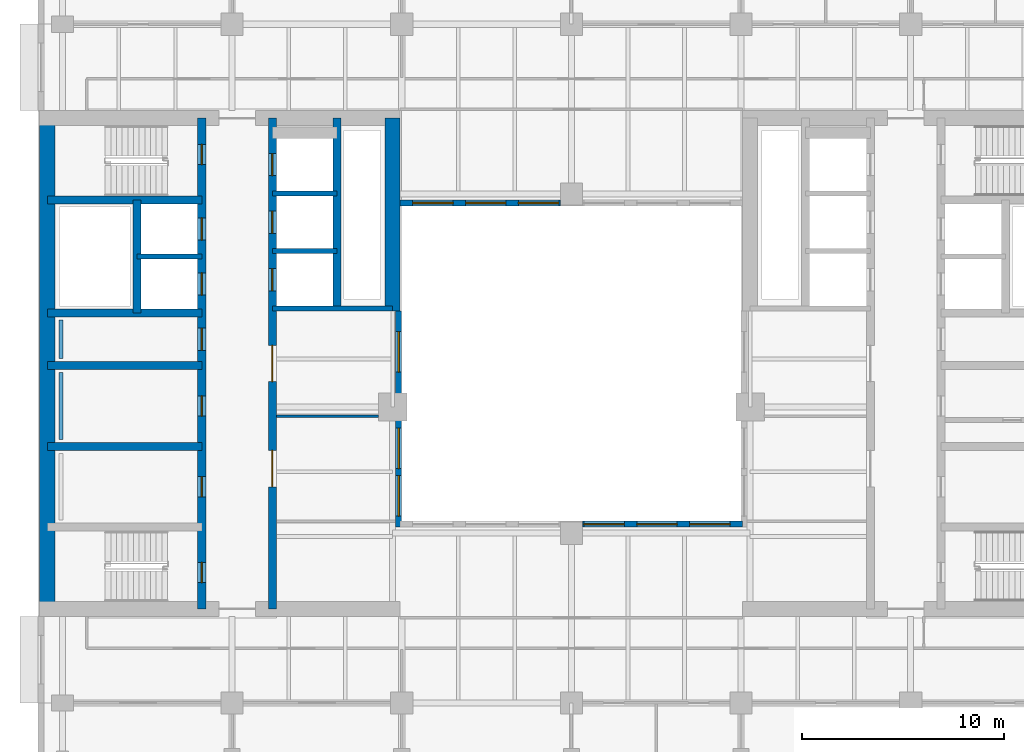
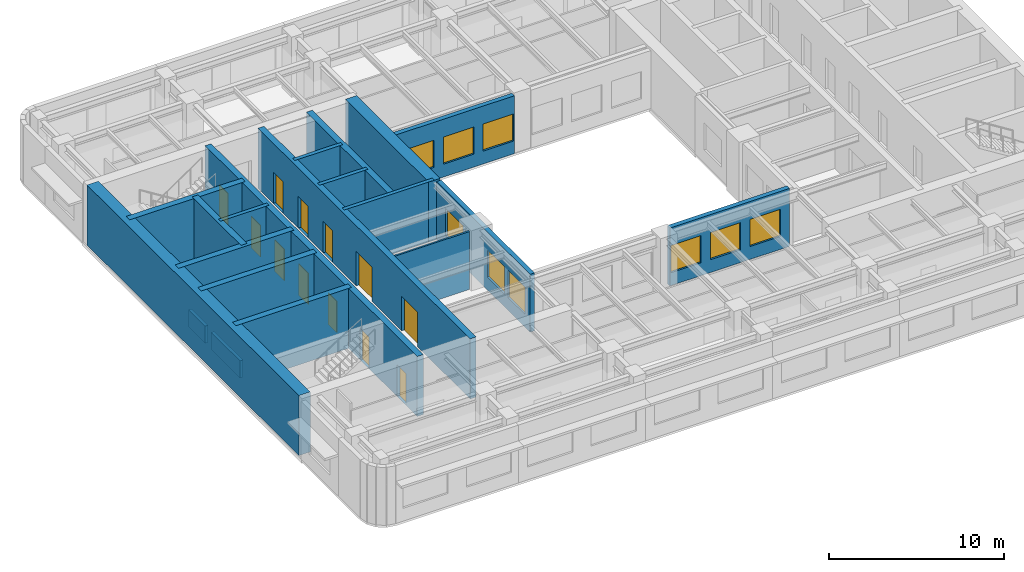
# One storey, part 4 of 11: 20 walls, 12 doors, 9 windows, 21 openings.
"""IFC4 building model written with IfcOpenShell, lengths in metres."""

from ifc_helpers import new_model, si_unit, direction, frame, frame_2d, origin, place, context, subcontext, project, spatial, rectangle, extrude, material, layer, layer_set, type_object, element, fill, save


model = new_model("IFC4")

# Units and contexts
model_context = context("Model", 3, precision=1e-05, world=origin(), true_north=direction((0.0, 1.0)))
body_context = subcontext(model_context, "Body", "Model", "MODEL_VIEW")
ifc_project = project(units=[si_unit("LENGTHUNIT", "METRE"), si_unit("AREAUNIT", "SQUARE_METRE"), si_unit("VOLUMEUNIT", "CUBIC_METRE"), si_unit("PLANEANGLEUNIT", "RADIAN"), si_unit("MASSUNIT", "GRAM", prefix="KILO")], contexts=[model_context])

# Site, building, storey
site_placement = place(None, origin())
site = spatial("IfcSite", under=ifc_project, at=site_placement, CompositionType="ELEMENT")
building_placement = place(site_placement, origin())
building = spatial("IfcBuilding", under=site, at=building_placement, Name="Claustro Exchange Tower", CompositionType="ELEMENT")
storey_placement = place(building_placement, frame((0.0, 0.0, 236.39990234375)))
storey = spatial("IfcBuildingStorey", under=building, at=storey_placement, Name="L54", CompositionType="ELEMENT", Elevation=236.39990234375)

# Wall
ifc_material_1 = material(Name="Laminated glass in aluminium frame", Category="aluminium")
ifc_layer_1 = layer(ifc_material_1, 0.1201171875)
ifc_layer_set_1 = layer_set([ifc_layer_1], Name="Laminated glass in aluminium frame")
wall_type_1 = type_object("IfcWallType", Name="P2 120 glazed partition", PredefinedType="PARTITIONING", material=ifc_layer_set_1)
wall_1_placement = place(storey_placement, frame((10.597900390625, 22.60009765625, 0.0), z_axis=(0.0, 0.0, 1.0), x_axis=(1.0, 0.0, 0.0)))
element("IfcWall", 1, at=wall_1_placement, inside=storey, type_object=wall_type_1, Name="Partition P2 L54", PredefinedType="PARTITIONING", context=body_context, shape_type="SweptSolid", body=[
    extrude(rectangle(XDim=5.052978515625, YDim=0.1201171875, at=frame_2d((2.5263671875, 0.0))), origin(), (0.0, 0.0, 1.0), 4.050048828125),
])

# Wall, openings, windows
ifc_material_2 = material(Name="Concrete HA-40 (C40/50), precast, white cement, acid-etched", Category="concrete")
ifc_layer_2 = layer(ifc_material_2, 0.300048828125)
ifc_layer_set_2 = layer_set([ifc_layer_2], Name="Concrete HA-40 (C40/50), precast, white cement, acid-etched")
wall_type_2 = type_object("IfcWallType", Name="PC1 300 precast concrete pier panel", PredefinedType="SOLIDWALL", material=ifc_layer_set_2)
wall_2_placement = place(storey_placement, frame((16.64990234375, 17.10009765625, 0.0), z_axis=(0.0, 0.0, 1.0), x_axis=(0.0, 1.0, 0.0)))
wall_2 = element("IfcWall", 2, at=wall_2_placement, inside=storey, type_object=wall_type_2, Name="Precast pier panel PC1 L54", PredefinedType="SOLIDWALL", context=body_context, shape_type="SweptSolid", body=[
    extrude(rectangle(XDim=10.699951171875, YDim=0.300048828125, at=frame_2d((5.35009765625, 0.0))), origin(), (0.0, 0.0, 1.0), 4.050048828125),
])
opening_1_placement = place(wall_2_placement, frame((0.550048828125, 0.0, 0.89990234375)))
opening_1 = element("IfcOpeningElement", 3, at=opening_1_placement, cuts=wall_2, Name="Opening W4", PredefinedType="OPENING", context=body_context, shape_type="SweptSolid", body=[
    extrude(rectangle(XDim=2.0, YDim=1.89990234375, at=frame_2d((1.0, 0.949951171875))), frame((0.0, 0.159912109375, 0.0), z_axis=(0.0, -1.0, 0.0), x_axis=(1.0, 0.0, 0.0)), (0.0, 0.0, 1.0), 0.320068359375),
])
opening_2_placement = place(wall_2_placement, frame((2.89990234375, 0.0, 0.89990234375)))
opening_2 = element("IfcOpeningElement", 4, at=opening_2_placement, cuts=wall_2, Name="Opening W4", PredefinedType="OPENING", context=body_context, shape_type="SweptSolid", body=[
    extrude(rectangle(XDim=2.0, YDim=1.89990234375, at=frame_2d((1.0, 0.949951171875))), frame((0.0, 0.159912109375, 0.0), z_axis=(0.0, -1.0, 0.0), x_axis=(1.0, 0.0, 0.0)), (0.0, 0.0, 1.0), 0.320068359375),
])
opening_3_placement = place(wall_2_placement, frame((7.675048828125, 0.0, 0.89990234375)))
opening_3 = element("IfcOpeningElement", 5, at=opening_3_placement, cuts=wall_2, Name="Opening W4", PredefinedType="OPENING", context=body_context, shape_type="SweptSolid", body=[
    extrude(rectangle(XDim=2.0, YDim=1.89990234375, at=frame_2d((1.0, 0.949951171875))), frame((0.0, 0.159912109375, 0.0), z_axis=(0.0, -1.0, 0.0), x_axis=(1.0, 0.0, 0.0)), (0.0, 0.0, 1.0), 0.320068359375),
])
ifc_material_3 = material(Name="Aluminium frame, clear double glazing", Category="aluminium")
window_type = type_object("IfcWindowType", Name="W4 2000 x 1900 light well window", PartitioningType="SINGLE_PANEL", PredefinedType="WINDOW", material=ifc_material_3)
window_1_placement = place(opening_1_placement, origin())
window_1 = element("IfcWindow", 6, at=window_1_placement, inside=storey, type_object=window_type, Name="Window W4 L54", OverallHeight=1.89990234375, OverallWidth=2.0, PartitioningType="SINGLE_PANEL", PredefinedType="WINDOW", context=body_context, shape_type="SweptSolid", body=[
    extrude(rectangle(XDim=2.0, YDim=1.89990234375, at=frame_2d((1.0, 0.949951171875))), frame((0.0, 0.030029296875, 0.0), z_axis=(0.0, -1.0, 0.0), x_axis=(1.0, 0.0, 0.0)), (0.0, 0.0, 1.0), 0.06005859375),
])
fill(opening_1, window_1)
window_2_placement = place(opening_2_placement, origin())
window_2 = element("IfcWindow", 7, at=window_2_placement, inside=storey, type_object=window_type, Name="Window W4 L54", OverallHeight=1.89990234375, OverallWidth=2.0, PartitioningType="SINGLE_PANEL", PredefinedType="WINDOW", context=body_context, shape_type="SweptSolid", body=[
    extrude(rectangle(XDim=2.0, YDim=1.89990234375, at=frame_2d((1.0, 0.949951171875))), frame((0.0, 0.030029296875, 0.0), z_axis=(0.0, -1.0, 0.0), x_axis=(1.0, 0.0, 0.0)), (0.0, 0.0, 1.0), 0.06005859375),
])
fill(opening_2, window_2)
window_3_placement = place(opening_3_placement, origin())
window_3 = element("IfcWindow", 8, at=window_3_placement, inside=storey, type_object=window_type, Name="Window W4 L54", OverallHeight=1.89990234375, OverallWidth=2.0, PartitioningType="SINGLE_PANEL", PredefinedType="WINDOW", context=body_context, shape_type="SweptSolid", body=[
    extrude(rectangle(XDim=2.0, YDim=1.89990234375, at=frame_2d((1.0, 0.949951171875))), frame((0.0, 0.030029296875, 0.0), z_axis=(0.0, -1.0, 0.0), x_axis=(1.0, 0.0, 0.0)), (0.0, 0.0, 1.0), 0.06005859375),
])
fill(opening_3, window_3)

wall_3_placement = place(storey_placement, frame((25.75, 17.25, 0.0), z_axis=(0.0, 0.0, 1.0), x_axis=(1.0, 0.0, 0.0)))
wall_3 = element("IfcWall", 9, at=wall_3_placement, inside=storey, type_object=wall_type_2, Name="Precast pier panel PC1 L54", PredefinedType="SOLIDWALL", context=body_context, shape_type="SweptSolid", body=[
    extrude(rectangle(XDim=7.925048828125, YDim=0.300048828125, at=frame_2d((3.96240234375, 0.0))), origin(), (0.0, 0.0, 1.0), 4.050048828125),
])
opening_4_placement = place(wall_3_placement, frame((0.068603515625, 0.0, 0.89990234375)))
opening_4 = element("IfcOpeningElement", 10, at=opening_4_placement, cuts=wall_3, Name="Opening W4", PredefinedType="OPENING", context=body_context, shape_type="SweptSolid", body=[
    extrude(rectangle(XDim=2.0, YDim=1.89990234375, at=frame_2d((1.0, 0.949951171875))), frame((0.0, 0.159912109375, 0.0), z_axis=(0.0, -1.0, 0.0), x_axis=(1.0, 0.0, 0.0)), (0.0, 0.0, 1.0), 0.320068359375),
])
opening_5_placement = place(wall_3_placement, frame((2.6875, 0.0, 0.89990234375)))
opening_5 = element("IfcOpeningElement", 11, at=opening_5_placement, cuts=wall_3, Name="Opening W4", PredefinedType="OPENING", context=body_context, shape_type="SweptSolid", body=[
    extrude(rectangle(XDim=2.0, YDim=1.89990234375, at=frame_2d((1.0, 0.949951171875))), frame((0.0, 0.159912109375, 0.0), z_axis=(0.0, -1.0, 0.0), x_axis=(1.0, 0.0, 0.0)), (0.0, 0.0, 1.0), 0.320068359375),
])
opening_6_placement = place(wall_3_placement, frame((5.30615234375, 0.0, 0.89990234375)))
opening_6 = element("IfcOpeningElement", 12, at=opening_6_placement, cuts=wall_3, Name="Opening W4", PredefinedType="OPENING", context=body_context, shape_type="SweptSolid", body=[
    extrude(rectangle(XDim=2.0, YDim=1.89990234375, at=frame_2d((1.0, 0.949951171875))), frame((0.0, 0.159912109375, 0.0), z_axis=(0.0, -1.0, 0.0), x_axis=(1.0, 0.0, 0.0)), (0.0, 0.0, 1.0), 0.320068359375),
])
window_4_placement = place(opening_4_placement, origin())
window_4 = element("IfcWindow", 13, at=window_4_placement, inside=storey, type_object=window_type, Name="Window W4 L54", OverallHeight=1.89990234375, OverallWidth=2.0, PartitioningType="SINGLE_PANEL", PredefinedType="WINDOW", context=body_context, shape_type="SweptSolid", body=[
    extrude(rectangle(XDim=2.0, YDim=1.89990234375, at=frame_2d((1.0, 0.949951171875))), frame((0.0, 0.030029296875, 0.0), z_axis=(0.0, -1.0, 0.0), x_axis=(1.0, 0.0, 0.0)), (0.0, 0.0, 1.0), 0.06005859375),
])
fill(opening_4, window_4)
window_5_placement = place(opening_5_placement, origin())
window_5 = element("IfcWindow", 14, at=window_5_placement, inside=storey, type_object=window_type, Name="Window W4 L54", OverallHeight=1.89990234375, OverallWidth=2.0, PartitioningType="SINGLE_PANEL", PredefinedType="WINDOW", context=body_context, shape_type="SweptSolid", body=[
    extrude(rectangle(XDim=2.0, YDim=1.89990234375, at=frame_2d((1.0, 0.949951171875))), frame((0.0, 0.030029296875, 0.0), z_axis=(0.0, -1.0, 0.0), x_axis=(1.0, 0.0, 0.0)), (0.0, 0.0, 1.0), 0.06005859375),
])
fill(opening_5, window_5)
window_6_placement = place(opening_6_placement, origin())
window_6 = element("IfcWindow", 15, at=window_6_placement, inside=storey, type_object=window_type, Name="Window W4 L54", OverallHeight=1.89990234375, OverallWidth=2.0, PartitioningType="SINGLE_PANEL", PredefinedType="WINDOW", context=body_context, shape_type="SweptSolid", body=[
    extrude(rectangle(XDim=2.0, YDim=1.89990234375, at=frame_2d((1.0, 0.949951171875))), frame((0.0, 0.030029296875, 0.0), z_axis=(0.0, -1.0, 0.0), x_axis=(1.0, 0.0, 0.0)), (0.0, 0.0, 1.0), 0.06005859375),
])
fill(opening_6, window_6)

wall_4_placement = place(storey_placement, frame((16.72509765625, 33.14990234375, 0.0), z_axis=(0.0, 0.0, 1.0), x_axis=(1.0, 0.0, 0.0)))
wall_4 = element("IfcWall", 16, at=wall_4_placement, inside=storey, type_object=wall_type_2, Name="Precast pier panel PC1 L54", PredefinedType="SOLIDWALL", context=body_context, shape_type="SweptSolid", body=[
    extrude(rectangle(XDim=7.9248046875, YDim=0.300048828125, at=frame_2d((3.96240234375, 0.0))), origin(), (0.0, 0.0, 1.0), 4.050048828125),
])
opening_7_placement = place(wall_4_placement, frame((0.61865234375, 0.0, 0.89990234375)))
opening_7 = element("IfcOpeningElement", 17, at=opening_7_placement, cuts=wall_4, Name="Opening W4", PredefinedType="OPENING", context=body_context, shape_type="SweptSolid", body=[
    extrude(rectangle(XDim=2.0, YDim=1.89990234375, at=frame_2d((1.0, 0.949951171875))), frame((0.0, 0.159912109375, 0.0), z_axis=(0.0, -1.0, 0.0), x_axis=(1.0, 0.0, 0.0)), (0.0, 0.0, 1.0), 0.320068359375),
])
opening_8_placement = place(wall_4_placement, frame((3.237548828125, 0.0, 0.89990234375)))
opening_8 = element("IfcOpeningElement", 18, at=opening_8_placement, cuts=wall_4, Name="Opening W4", PredefinedType="OPENING", context=body_context, shape_type="SweptSolid", body=[
    extrude(rectangle(XDim=2.0, YDim=1.89990234375, at=frame_2d((1.0, 0.949951171875))), frame((0.0, 0.159912109375, 0.0), z_axis=(0.0, -1.0, 0.0), x_axis=(1.0, 0.0, 0.0)), (0.0, 0.0, 1.0), 0.320068359375),
])
opening_9_placement = place(wall_4_placement, frame((5.856201171875, 0.0, 0.89990234375)))
opening_9 = element("IfcOpeningElement", 19, at=opening_9_placement, cuts=wall_4, Name="Opening W4", PredefinedType="OPENING", context=body_context, shape_type="SweptSolid", body=[
    extrude(rectangle(XDim=2.0, YDim=1.89990234375, at=frame_2d((1.0, 0.949951171875))), frame((0.0, 0.159912109375, 0.0), z_axis=(0.0, -1.0, 0.0), x_axis=(1.0, 0.0, 0.0)), (0.0, 0.0, 1.0), 0.320068359375),
])
window_7_placement = place(opening_7_placement, origin())
window_7 = element("IfcWindow", 20, at=window_7_placement, inside=storey, type_object=window_type, Name="Window W4 L54", OverallHeight=1.89990234375, OverallWidth=2.0, PartitioningType="SINGLE_PANEL", PredefinedType="WINDOW", context=body_context, shape_type="SweptSolid", body=[
    extrude(rectangle(XDim=2.0, YDim=1.89990234375, at=frame_2d((1.0, 0.949951171875))), frame((0.0, 0.030029296875, 0.0), z_axis=(0.0, -1.0, 0.0), x_axis=(1.0, 0.0, 0.0)), (0.0, 0.0, 1.0), 0.06005859375),
])
fill(opening_7, window_7)
window_8_placement = place(opening_8_placement, origin())
window_8 = element("IfcWindow", 21, at=window_8_placement, inside=storey, type_object=window_type, Name="Window W4 L54", OverallHeight=1.89990234375, OverallWidth=2.0, PartitioningType="SINGLE_PANEL", PredefinedType="WINDOW", context=body_context, shape_type="SweptSolid", body=[
    extrude(rectangle(XDim=2.0, YDim=1.89990234375, at=frame_2d((1.0, 0.949951171875))), frame((0.0, 0.030029296875, 0.0), z_axis=(0.0, -1.0, 0.0), x_axis=(1.0, 0.0, 0.0)), (0.0, 0.0, 1.0), 0.06005859375),
])
fill(opening_8, window_8)
window_9_placement = place(opening_9_placement, origin())
window_9 = element("IfcWindow", 22, at=window_9_placement, inside=storey, type_object=window_type, Name="Window W4 L54", OverallHeight=1.89990234375, OverallWidth=2.0, PartitioningType="SINGLE_PANEL", PredefinedType="WINDOW", context=body_context, shape_type="SweptSolid", body=[
    extrude(rectangle(XDim=2.0, YDim=1.89990234375, at=frame_2d((1.0, 0.949951171875))), frame((0.0, 0.030029296875, 0.0), z_axis=(0.0, -1.0, 0.0), x_axis=(1.0, 0.0, 0.0)), (0.0, 0.0, 1.0), 0.06005859375),
])
fill(opening_9, window_9)

# Walls
ifc_material_4 = material(Name="Gypsum board on steel studs, tiled", Category="steel")
ifc_layer_3 = layer(ifc_material_4, 0.199951171875)
ifc_layer_set_3 = layer_set([ifc_layer_3], Name="Gypsum board on steel studs, tiled")
wall_type_3 = type_object("IfcWallType", Name="PW1 200 WC duct wall", PredefinedType="PLUMBINGWALL", material=ifc_layer_set_3)
wall_5_placement = place(storey_placement, frame((-0.074951171875, 21.449951171875, 0.0), z_axis=(0.0, 0.0, 1.0), x_axis=(0.0, 1.0, 0.0)))
element("IfcWall", 23, at=wall_5_placement, inside=storey, type_object=wall_type_3, Name="WC duct wall PW1 L54", PredefinedType="PLUMBINGWALL", context=body_context, shape_type="SweptSolid", body=[
    extrude(rectangle(XDim=3.300048828125, YDim=0.199951171875, at=frame_2d((1.64990234375, 0.0))), origin(), (0.0, 0.0, 1.0), 1.2001953125),
])
wall_6_placement = place(storey_placement, frame((-0.074951171875, 25.449951171875, 0.0), z_axis=(0.0, 0.0, 1.0), x_axis=(0.0, 1.0, 0.0)))
element("IfcWall", 24, at=wall_6_placement, inside=storey, type_object=wall_type_3, Name="WC duct wall PW1 L54", PredefinedType="PLUMBINGWALL", context=body_context, shape_type="SweptSolid", body=[
    extrude(rectangle(XDim=1.900146484375, YDim=0.199951171875, at=frame_2d((0.9501953125, 0.0))), origin(), (0.0, 0.0, 1.0), 1.2001953125),
])
ifc_material_5 = material(Name="Concrete HA-70 (C70/85)", Category="concrete")
ifc_layer_4 = layer(ifc_material_5, 0.75)
ifc_layer_set_4 = layer_set([ifc_layer_4], Name="Concrete HA-70 (C70/85)")
wall_type_4 = type_object("IfcWallType", Name="SW2X 750 exposed core shear wall, board-marked face", PredefinedType="SHEAR", material=ifc_layer_set_4)
wall_7_placement = place(storey_placement, frame((-0.75, 13.050048828125, 0.0), z_axis=(0.0, 0.0, 1.0), x_axis=(0.0, 1.0, 0.0)))
element("IfcWall", 25, at=wall_7_placement, inside=storey, type_object=wall_type_4, Name="Core wall SW2X W core W face L54", PredefinedType="SHEAR", context=body_context, shape_type="SweptSolid", body=[
    extrude(rectangle(XDim=24.300048828125, YDim=0.75, at=frame_2d((12.14990234375, 0.0))), origin(), (0.0, 0.0, 1.0), 4.2001953125),
])
wall_8_placement = place(storey_placement, frame((16.35009765625, 27.800048828125, 0.0), z_axis=(0.0, 0.0, 1.0), x_axis=(0.0, 1.0, 0.0)))
element("IfcWall", 26, at=wall_8_placement, inside=storey, type_object=wall_type_4, Name="Core wall SW2X W core E face L54", PredefinedType="SHEAR", context=body_context, shape_type="SweptSolid", body=[
    extrude(rectangle(XDim=9.550048828125, YDim=0.75, at=frame_2d((4.77490234375, 0.0))), origin(), (0.0, 0.0, 1.0), 4.2001953125),
])

# Wall, openings, doors
ifc_material_6 = material(Name="Concrete HA-50 (C50/60)", Category="concrete")
ifc_layer_5 = layer(ifc_material_6, 0.39990234375)
ifc_layer_set_5 = layer_set([ifc_layer_5], Name="Concrete HA-50 (C50/60)")
wall_type_5 = type_object("IfcWallType", Name="SW4 400 internal core wall", PredefinedType="SHEAR", material=ifc_layer_set_5)
wall_9_placement = place(storey_placement, frame((6.89990234375, 13.050048828125, 0.0), z_axis=(0.0, 0.0, 1.0), x_axis=(0.0, 1.0, 0.0)))
wall_9 = element("IfcWall", 27, at=wall_9_placement, inside=storey, type_object=wall_type_5, Name="Internal core wall SW4 W core L54", PredefinedType="SHEAR", context=body_context, shape_type="SweptSolid", body=[
    extrude(rectangle(XDim=24.300048828125, YDim=0.39990234375, at=frame_2d((12.14990234375, 0.0))), origin(), (0.0, 0.0, 1.0), 4.2001953125),
])
opening_10_placement = place(wall_9_placement, frame((1.300048828125, 0.0, 0.0)))
opening_10 = element("IfcOpeningElement", 28, at=opening_10_placement, cuts=wall_9, Name="Opening D4", PredefinedType="OPENING", context=body_context, shape_type="SweptSolid", body=[
    extrude(rectangle(XDim=1.0, YDim=2.199951171875, at=frame_2d((0.5, 1.10009765625))), frame((0.0, 0.2099609375, 0.0), z_axis=(0.0, -1.0, 0.0), x_axis=(1.0, 0.0, 0.0)), (0.0, 0.0, 1.0), 0.419921875),
])
opening_11_placement = place(wall_9_placement, frame((22.0, 0.0, 0.0)))
opening_11 = element("IfcOpeningElement", 29, at=opening_11_placement, cuts=wall_9, Name="Opening D4", PredefinedType="OPENING", context=body_context, shape_type="SweptSolid", body=[
    extrude(rectangle(XDim=1.0, YDim=2.199951171875, at=frame_2d((0.5, 1.10009765625))), frame((0.0, 0.2099609375, 0.0), z_axis=(0.0, -1.0, 0.0), x_axis=(1.0, 0.0, 0.0)), (0.0, 0.0, 1.0), 0.419921875),
])
opening_12_placement = place(wall_9_placement, frame((5.550048828125, 0.0, 0.0)))
opening_12 = element("IfcOpeningElement", 30, at=opening_12_placement, cuts=wall_9, Name="Opening D1", PredefinedType="OPENING", context=body_context, shape_type="SweptSolid", body=[
    extrude(rectangle(XDim=1.0, YDim=2.199951171875, at=frame_2d((0.5, 1.10009765625))), frame((0.0, 0.2099609375, 0.0), z_axis=(0.0, -1.0, 0.0), x_axis=(1.0, 0.0, 0.0)), (0.0, 0.0, 1.0), 0.419921875),
])
opening_13_placement = place(wall_9_placement, frame((9.550048828125, 0.0, 0.0)))
opening_13 = element("IfcOpeningElement", 31, at=opening_13_placement, cuts=wall_9, Name="Opening D1", PredefinedType="OPENING", context=body_context, shape_type="SweptSolid", body=[
    extrude(rectangle(XDim=1.0, YDim=2.199951171875, at=frame_2d((0.5, 1.10009765625))), frame((0.0, 0.2099609375, 0.0), z_axis=(0.0, -1.0, 0.0), x_axis=(1.0, 0.0, 0.0)), (0.0, 0.0, 1.0), 0.419921875),
])
opening_14_placement = place(wall_9_placement, frame((12.800048828125, 0.0, 0.0)))
opening_14 = element("IfcOpeningElement", 32, at=opening_14_placement, cuts=wall_9, Name="Opening D10", PredefinedType="OPENING", context=body_context, shape_type="SweptSolid", body=[
    extrude(rectangle(XDim=1.10009765625, YDim=2.199951171875, at=frame_2d((0.550048828125, 1.10009765625))), frame((0.0, 0.2099609375, 0.0), z_axis=(0.0, -1.0, 0.0), x_axis=(1.0, 0.0, 0.0)), (0.0, 0.0, 1.0), 0.419921875),
])
opening_15_placement = place(wall_9_placement, frame((15.53759765625, 0.0, 0.0)))
opening_15 = element("IfcOpeningElement", 33, at=opening_15_placement, cuts=wall_9, Name="Opening LD", PredefinedType="OPENING", context=body_context, shape_type="SweptSolid", body=[
    extrude(rectangle(XDim=1.10009765625, YDim=2.199951171875, at=frame_2d((0.550048828125, 1.10009765625))), frame((0.0, 0.2099609375, 0.0), z_axis=(0.0, -1.0, 0.0), x_axis=(1.0, 0.0, 0.0)), (0.0, 0.0, 1.0), 0.419921875),
])
opening_16_placement = place(wall_9_placement, frame((18.262451171875, 0.0, 0.0)))
opening_16 = element("IfcOpeningElement", 34, at=opening_16_placement, cuts=wall_9, Name="Opening LD", PredefinedType="OPENING", context=body_context, shape_type="SweptSolid", body=[
    extrude(rectangle(XDim=1.10009765625, YDim=2.199951171875, at=frame_2d((0.550048828125, 1.10009765625))), frame((0.0, 0.2099609375, 0.0), z_axis=(0.0, -1.0, 0.0), x_axis=(1.0, 0.0, 0.0)), (0.0, 0.0, 1.0), 0.419921875),
])
ifc_material_7 = material(Name="Timber door, oak veneer", Category="wood")
door_type_1 = type_object("IfcDoorType", Name="D1 1000 x 2200 single door", OperationType="SINGLE_SWING_LEFT", PredefinedType="DOOR", material=ifc_material_7)
door_1_placement = place(opening_12_placement, origin())
door_1 = element("IfcDoor", 35, at=door_1_placement, inside=storey, type_object=door_type_1, Name="Door D1 L54", OperationType="SINGLE_SWING_RIGHT", OverallHeight=2.199951171875, OverallWidth=1.0, PredefinedType="DOOR", context=body_context, shape_type="SweptSolid", body=[
    extrude(rectangle(XDim=1.0, YDim=2.199951171875, at=frame_2d((0.5, 1.10009765625))), frame((0.0, 0.02490234375, 0.0), z_axis=(0.0, -1.0, 0.0), x_axis=(1.0, 0.0, 0.0)), (0.0, 0.0, 1.0), 0.050048828125),
])
fill(opening_12, door_1)
door_2_placement = place(opening_13_placement, origin())
door_2 = element("IfcDoor", 36, at=door_2_placement, inside=storey, type_object=door_type_1, Name="Door D1 L54", OperationType="SINGLE_SWING_RIGHT", OverallHeight=2.199951171875, OverallWidth=1.0, PredefinedType="DOOR", context=body_context, shape_type="SweptSolid", body=[
    extrude(rectangle(XDim=1.0, YDim=2.199951171875, at=frame_2d((0.5, 1.10009765625))), frame((0.0, 0.02490234375, 0.0), z_axis=(0.0, -1.0, 0.0), x_axis=(1.0, 0.0, 0.0)), (0.0, 0.0, 1.0), 0.050048828125),
])
fill(opening_13, door_2)
ifc_material_8 = material(Name="Timber door, oak veneer", Category="wood")
door_type_2 = type_object("IfcDoorType", Name="D10 1100 x 2200 accessible WC door", OperationType="SINGLE_SWING_LEFT", PredefinedType="DOOR", material=ifc_material_8)
door_3_placement = place(opening_14_placement, frame((1.10009765625, 0.0, 0.0), z_axis=(0.0, 0.0, 1.0), x_axis=(-1.0, 0.0, 0.0)))
door_3 = element("IfcDoor", 37, at=door_3_placement, inside=storey, type_object=door_type_2, Name="Accessible WC door D10 L54", OperationType="SINGLE_SWING_LEFT", OverallHeight=2.199951171875, OverallWidth=1.10009765625, PredefinedType="DOOR", context=body_context, shape_type="SweptSolid", body=[
    extrude(rectangle(XDim=1.10009765625, YDim=2.199951171875, at=frame_2d((0.550048828125, 1.10009765625))), frame((0.0, 0.02490234375, 0.0), z_axis=(0.0, -1.0, 0.0), x_axis=(1.0, 0.0, 0.0)), (0.0, 0.0, 1.0), 0.050048828125),
])
fill(opening_14, door_3)
ifc_material_9 = material(Name="Steel fire door, painted", Category="steel")
door_type_3 = type_object("IfcDoorType", Name="D4 1000 x 2200 fire-rated stair door", OperationType="SINGLE_SWING_LEFT", PredefinedType="DOOR", material=ifc_material_9)
door_4_placement = place(opening_10_placement, origin())
door_4 = element("IfcDoor", 38, at=door_4_placement, inside=storey, type_object=door_type_3, Name="Stair door D4 L54", OperationType="SINGLE_SWING_LEFT", OverallHeight=2.199951171875, OverallWidth=1.0, PredefinedType="DOOR", context=body_context, shape_type="SweptSolid", body=[
    extrude(rectangle(XDim=1.0, YDim=2.199951171875, at=frame_2d((0.5, 1.10009765625))), frame((0.0, 0.02490234375, 0.0), z_axis=(0.0, -1.0, 0.0), x_axis=(1.0, 0.0, 0.0)), (0.0, 0.0, 1.0), 0.050048828125),
])
fill(opening_10, door_4)
door_5_placement = place(opening_11_placement, origin())
door_5 = element("IfcDoor", 39, at=door_5_placement, inside=storey, type_object=door_type_3, Name="Stair door D4 L54", OperationType="SINGLE_SWING_RIGHT", OverallHeight=2.199951171875, OverallWidth=1.0, PredefinedType="DOOR", context=body_context, shape_type="SweptSolid", body=[
    extrude(rectangle(XDim=1.0, YDim=2.199951171875, at=frame_2d((0.5, 1.10009765625))), frame((0.0, 0.02490234375, 0.0), z_axis=(0.0, -1.0, 0.0), x_axis=(1.0, 0.0, 0.0)), (0.0, 0.0, 1.0), 0.050048828125),
])
fill(opening_11, door_5)
ifc_material_10 = material(Name="Stainless steel sliding door", Category="steel")
door_type_4 = type_object("IfcDoorType", Name="LD 1100 x 2200 lift landing door", OperationType="DOUBLE_DOOR_SLIDING", PredefinedType="DOOR", material=ifc_material_10)
door_6_placement = place(opening_15_placement, origin())
door_6 = element("IfcDoor", 40, at=door_6_placement, inside=storey, type_object=door_type_4, Name="Lift landing door LEW1 LD L54", OperationType="DOUBLE_DOOR_SLIDING", OverallHeight=2.199951171875, OverallWidth=1.10009765625, PredefinedType="DOOR", context=body_context, shape_type="SweptSolid", body=[
    extrude(rectangle(XDim=1.10009765625, YDim=2.199951171875, at=frame_2d((0.550048828125, 1.10009765625))), frame((0.0, 0.02490234375, 0.0), z_axis=(0.0, -1.0, 0.0), x_axis=(1.0, 0.0, 0.0)), (0.0, 0.0, 1.0), 0.050048828125),
])
fill(opening_15, door_6)
door_7_placement = place(opening_16_placement, origin())
door_7 = element("IfcDoor", 41, at=door_7_placement, inside=storey, type_object=door_type_4, Name="Lift landing door LEW2 LD L54", OperationType="DOUBLE_DOOR_SLIDING", OverallHeight=2.199951171875, OverallWidth=1.10009765625, PredefinedType="DOOR", context=body_context, shape_type="SweptSolid", body=[
    extrude(rectangle(XDim=1.10009765625, YDim=2.199951171875, at=frame_2d((0.550048828125, 1.10009765625))), frame((0.0, 0.02490234375, 0.0), z_axis=(0.0, -1.0, 0.0), x_axis=(1.0, 0.0, 0.0)), (0.0, 0.0, 1.0), 0.050048828125),
])
fill(opening_16, door_7)

wall_10_placement = place(storey_placement, frame((10.39990234375, 13.050048828125, 0.0), z_axis=(0.0, 0.0, 1.0), x_axis=(0.0, 1.0, 0.0)))
wall_10 = element("IfcWall", 42, at=wall_10_placement, inside=storey, type_object=wall_type_5, Name="Internal core wall SW4 W core L54", PredefinedType="SHEAR", context=body_context, shape_type="SweptSolid", body=[
    extrude(rectangle(XDim=24.300048828125, YDim=0.39990234375, at=frame_2d((12.14990234375, 0.0))), origin(), (0.0, 0.0, 1.0), 4.2001953125),
])
opening_17_placement = place(wall_10_placement, frame((15.75, 0.0, 0.0)))
opening_17 = element("IfcOpeningElement", 43, at=opening_17_placement, cuts=wall_10, Name="Opening LD", PredefinedType="OPENING", context=body_context, shape_type="SweptSolid", body=[
    extrude(rectangle(XDim=1.10009765625, YDim=2.199951171875, at=frame_2d((0.550048828125, 1.10009765625))), frame((0.0, 0.2099609375, 0.0), z_axis=(0.0, -1.0, 0.0), x_axis=(1.0, 0.0, 0.0)), (0.0, 0.0, 1.0), 0.419921875),
])
opening_18_placement = place(wall_10_placement, frame((18.60009765625, 0.0, 0.0)))
opening_18 = element("IfcOpeningElement", 44, at=opening_18_placement, cuts=wall_10, Name="Opening LD", PredefinedType="OPENING", context=body_context, shape_type="SweptSolid", body=[
    extrude(rectangle(XDim=1.10009765625, YDim=2.199951171875, at=frame_2d((0.550048828125, 1.10009765625))), frame((0.0, 0.2099609375, 0.0), z_axis=(0.0, -1.0, 0.0), x_axis=(1.0, 0.0, 0.0)), (0.0, 0.0, 1.0), 0.419921875),
])
opening_19_placement = place(wall_10_placement, frame((21.449951171875, 0.0, 0.0)))
opening_19 = element("IfcOpeningElement", 45, at=opening_19_placement, cuts=wall_10, Name="Opening LD", PredefinedType="OPENING", context=body_context, shape_type="SweptSolid", body=[
    extrude(rectangle(XDim=1.10009765625, YDim=2.199951171875, at=frame_2d((0.550048828125, 1.10009765625))), frame((0.0, 0.2099609375, 0.0), z_axis=(0.0, -1.0, 0.0), x_axis=(1.0, 0.0, 0.0)), (0.0, 0.0, 1.0), 0.419921875),
])
opening_20_placement = place(wall_10_placement, frame((6.050048828125, 0.0, 0.0)))
opening_20 = element("IfcOpeningElement", 46, at=opening_20_placement, cuts=wall_10, Name="Opening D3", PredefinedType="OPENING", context=body_context, shape_type="SweptSolid", body=[
    extrude(rectangle(XDim=1.800048828125, YDim=2.39990234375, at=frame_2d((0.89990234375, 1.199951171875))), frame((0.0, 0.2099609375, 0.0), z_axis=(0.0, -1.0, 0.0), x_axis=(1.0, 0.0, 0.0)), (0.0, 0.0, 1.0), 0.419921875),
])
opening_21_placement = place(wall_10_placement, frame((11.25, 0.0, 0.0)))
opening_21 = element("IfcOpeningElement", 47, at=opening_21_placement, cuts=wall_10, Name="Opening D3", PredefinedType="OPENING", context=body_context, shape_type="SweptSolid", body=[
    extrude(rectangle(XDim=1.800048828125, YDim=2.39990234375, at=frame_2d((0.89990234375, 1.199951171875))), frame((0.0, 0.2099609375, 0.0), z_axis=(0.0, -1.0, 0.0), x_axis=(1.0, 0.0, 0.0)), (0.0, 0.0, 1.0), 0.419921875),
])
ifc_material_11 = material(Name="Steel fire door, painted", Category="steel")
door_type_5 = type_object("IfcDoorType", Name="D3 1800 x 2400 fire-rated lobby double door", OperationType="DOUBLE_DOOR_SINGLE_SWING", PredefinedType="DOOR", material=ifc_material_11)
door_8_placement = place(opening_20_placement, frame((1.800048828125, 0.0, 0.0), z_axis=(0.0, 0.0, 1.0), x_axis=(-1.0, 0.0, 0.0)))
door_8 = element("IfcDoor", 48, at=door_8_placement, inside=storey, type_object=door_type_5, Name="Core zone door D3 L54", OperationType="DOUBLE_DOOR_SINGLE_SWING", OverallHeight=2.39990234375, OverallWidth=1.800048828125, PredefinedType="DOOR", context=body_context, shape_type="SweptSolid", body=[
    extrude(rectangle(XDim=1.800048828125, YDim=2.39990234375, at=frame_2d((0.89990234375, 1.199951171875))), frame((0.0, 0.02490234375, 0.0), z_axis=(0.0, -1.0, 0.0), x_axis=(1.0, 0.0, 0.0)), (0.0, 0.0, 1.0), 0.050048828125),
])
fill(opening_20, door_8)
door_9_placement = place(opening_21_placement, frame((1.800048828125, 0.0, 0.0), z_axis=(0.0, 0.0, 1.0), x_axis=(-1.0, 0.0, 0.0)))
door_9 = element("IfcDoor", 49, at=door_9_placement, inside=storey, type_object=door_type_5, Name="Core zone door D3 L54", OperationType="DOUBLE_DOOR_SINGLE_SWING", OverallHeight=2.39990234375, OverallWidth=1.800048828125, PredefinedType="DOOR", context=body_context, shape_type="SweptSolid", body=[
    extrude(rectangle(XDim=1.800048828125, YDim=2.39990234375, at=frame_2d((0.89990234375, 1.199951171875))), frame((0.0, 0.02490234375, 0.0), z_axis=(0.0, -1.0, 0.0), x_axis=(1.0, 0.0, 0.0)), (0.0, 0.0, 1.0), 0.050048828125),
])
fill(opening_21, door_9)
door_10_placement = place(opening_17_placement, origin())
door_10 = element("IfcDoor", 50, at=door_10_placement, inside=storey, type_object=door_type_4, Name="Lift landing door LHW1 LD L54", OperationType="DOUBLE_DOOR_SLIDING", OverallHeight=2.199951171875, OverallWidth=1.10009765625, PredefinedType="DOOR", context=body_context, shape_type="SweptSolid", body=[
    extrude(rectangle(XDim=1.10009765625, YDim=2.199951171875, at=frame_2d((0.550048828125, 1.10009765625))), frame((0.0, 0.02490234375, 0.0), z_axis=(0.0, -1.0, 0.0), x_axis=(1.0, 0.0, 0.0)), (0.0, 0.0, 1.0), 0.050048828125),
])
fill(opening_17, door_10)
door_11_placement = place(opening_18_placement, origin())
door_11 = element("IfcDoor", 51, at=door_11_placement, inside=storey, type_object=door_type_4, Name="Lift landing door LHW2 LD L54", OperationType="DOUBLE_DOOR_SLIDING", OverallHeight=2.199951171875, OverallWidth=1.10009765625, PredefinedType="DOOR", context=body_context, shape_type="SweptSolid", body=[
    extrude(rectangle(XDim=1.10009765625, YDim=2.199951171875, at=frame_2d((0.550048828125, 1.10009765625))), frame((0.0, 0.02490234375, 0.0), z_axis=(0.0, -1.0, 0.0), x_axis=(1.0, 0.0, 0.0)), (0.0, 0.0, 1.0), 0.050048828125),
])
fill(opening_18, door_11)
door_12_placement = place(opening_19_placement, origin())
door_12 = element("IfcDoor", 52, at=door_12_placement, inside=storey, type_object=door_type_4, Name="Lift landing door LSW1 LD L54", OperationType="DOUBLE_DOOR_SLIDING", OverallHeight=2.199951171875, OverallWidth=1.10009765625, PredefinedType="DOOR", context=body_context, shape_type="SweptSolid", body=[
    extrude(rectangle(XDim=1.10009765625, YDim=2.199951171875, at=frame_2d((0.550048828125, 1.10009765625))), frame((0.0, 0.02490234375, 0.0), z_axis=(0.0, -1.0, 0.0), x_axis=(1.0, 0.0, 0.0)), (0.0, 0.0, 1.0), 0.050048828125),
])
fill(opening_19, door_12)

# Walls
wall_11_placement = place(storey_placement, frame((13.60009765625, 27.925048828125, 0.0), z_axis=(0.0, 0.0, 1.0), x_axis=(0.0, 1.0, 0.0)))
element("IfcWall", 53, at=wall_11_placement, inside=storey, type_object=wall_type_5, Name="Internal core wall SW4 W core L54", PredefinedType="SHEAR", context=body_context, shape_type="SweptSolid", body=[
    extrude(rectangle(XDim=9.425048828125, YDim=0.39990234375, at=frame_2d((4.71240234375, 0.0))), origin(), (0.0, 0.0, 1.0), 4.2001953125),
])
for number, where, z_axis, x_axis, name in (
    (54, (-0.75, 21.10009765625, 0.0), (0.0, 0.0, 1.0), (1.0, 0.0, 0.0), "Internal core wall SW4 W core L54"),
    (55, (-0.75, 25.10009765625, 0.0), (0.0, 0.0, 1.0), (1.0, 0.0, 0.0), "Internal core wall SW4 W core L54"),
    (56, (-0.75, 27.699951171875, 0.0), (0.0, 0.0, 1.0), (1.0, 0.0, 0.0), "Internal core wall SW4 W core L54"),
    (57, (-0.75, 33.300048828125, 0.0), (0.0, 0.0, 1.0), (1.0, 0.0, 0.0), "Internal core wall SW4 W core L54"),
):
    element("IfcWall", number, at=place(storey_placement, frame(where, z_axis=z_axis, x_axis=x_axis)), inside=storey, type_object=wall_type_5, Name=name, PredefinedType="SHEAR", context=body_context, shape_type="SweptSolid", body=[
        extrude(rectangle(XDim=7.64990234375, YDim=0.39990234375, at=frame_2d((3.824951171875, 0.0))), origin(), (0.0, 0.0, 1.0), 4.2001953125),
    ])
wall_12_placement = place(storey_placement, frame((3.699951171875, 27.699951171875, 0.0), z_axis=(0.0, 0.0, 1.0), x_axis=(0.0, 1.0, 0.0)))
element("IfcWall", 58, at=wall_12_placement, inside=storey, type_object=wall_type_5, Name="Internal core wall SW4 W core L54", PredefinedType="SHEAR", context=body_context, shape_type="SweptSolid", body=[
    extrude(rectangle(XDim=5.60009765625, YDim=0.39990234375, at=frame_2d((2.800048828125, 0.0))), origin(), (0.0, 0.0, 1.0), 4.2001953125),
])
ifc_material_12 = material(Name="Concrete HA-50 (C50/60)", Category="concrete")
ifc_layer_6 = layer(ifc_material_12, 0.25)
ifc_layer_set_6 = layer_set([ifc_layer_6], Name="Concrete HA-50 (C50/60)")
wall_type_6 = type_object("IfcWallType", Name="SW5 250 lift shaft divider wall", PredefinedType="SHEAR", material=ifc_layer_set_6)
wall_13_placement = place(storey_placement, frame((3.699951171875, 30.5, 0.0), z_axis=(0.0, 0.0, 1.0), x_axis=(1.0, 0.0, 0.0)))
element("IfcWall", 59, at=wall_13_placement, inside=storey, type_object=wall_type_6, Name="Lift shaft wall W core L54", PredefinedType="SHEAR", context=body_context, shape_type="SweptSolid", body=[
    extrude(rectangle(XDim=3.199951171875, YDim=0.25, at=frame_2d((1.60009765625, 0.0))), origin(), (0.0, 0.0, 1.0), 4.2001953125),
])
wall_14_placement = place(storey_placement, frame((10.39990234375, 27.925048828125, 0.0), z_axis=(0.0, 0.0, 1.0), x_axis=(1.0, 0.0, 0.0)))
element("IfcWall", 60, at=wall_14_placement, inside=storey, type_object=wall_type_6, Name="Core step wall W core L54", PredefinedType="SHEAR", context=body_context, shape_type="SweptSolid", body=[
    extrude(rectangle(XDim=5.9501953125, YDim=0.25, at=frame_2d((2.97509765625, 0.0))), origin(), (0.0, 0.0, 1.0), 4.2001953125),
])
for number, where, z_axis, x_axis, name in (
    (61, (10.39990234375, 30.77490234375, 0.0), (0.0, 0.0, 1.0), (1.0, 0.0, 0.0), "Lift shaft wall W core L54"),
    (62, (10.39990234375, 33.625, 0.0), (0.0, 0.0, 1.0), (1.0, 0.0, 0.0), "Lift shaft wall W core L54"),
):
    element("IfcWall", number, at=place(storey_placement, frame(where, z_axis=z_axis, x_axis=x_axis)), inside=storey, type_object=wall_type_6, Name=name, PredefinedType="SHEAR", context=body_context, shape_type="SweptSolid", body=[
        extrude(rectangle(XDim=3.2001953125, YDim=0.25, at=frame_2d((1.60009765625, 0.0))), origin(), (0.0, 0.0, 1.0), 4.2001953125),
    ])

save(model, "model.ifc")
